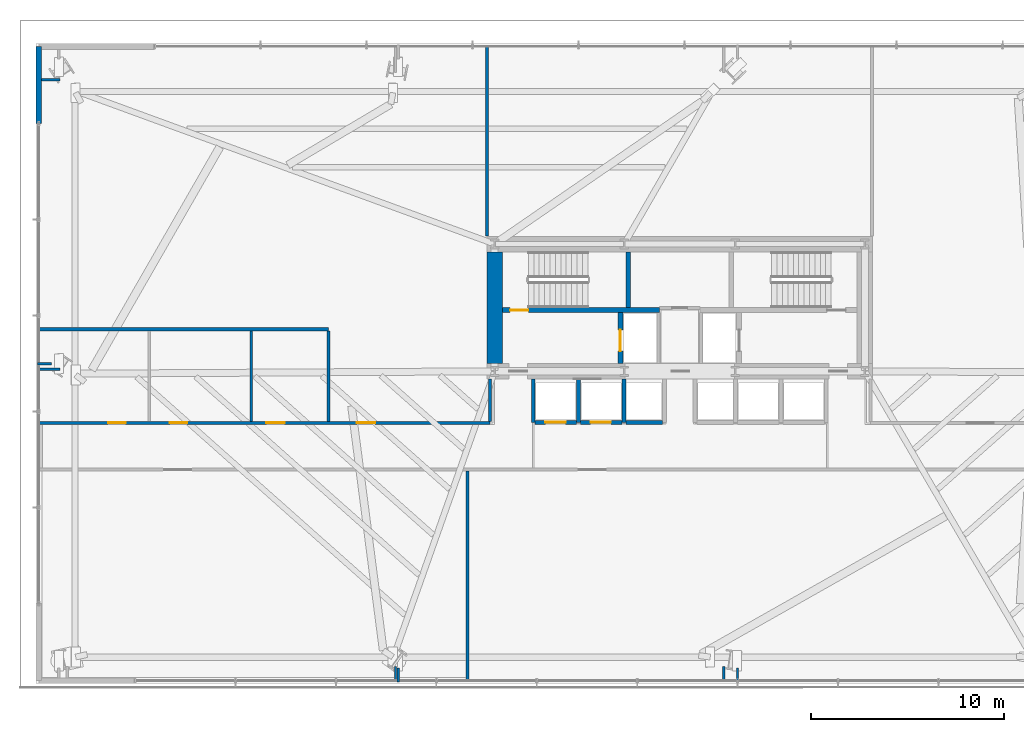
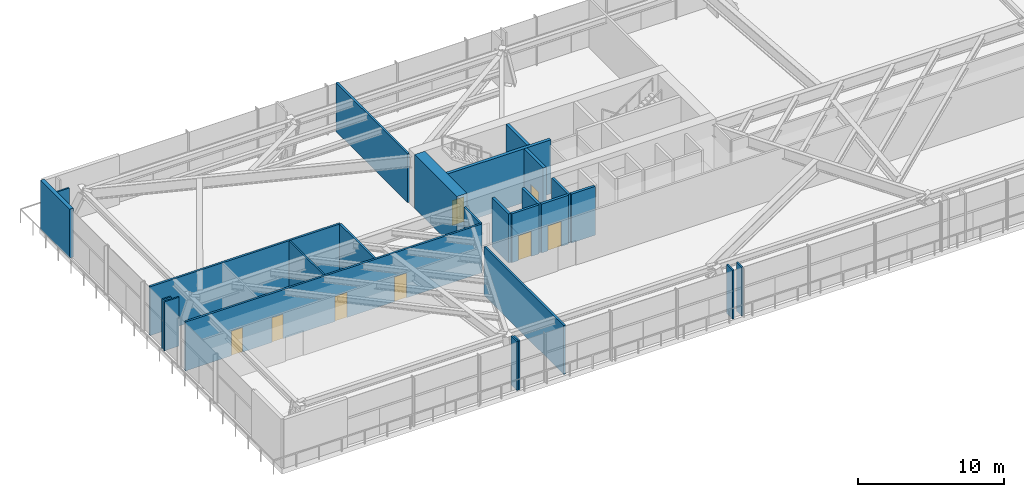
# One storey, part 24 of 33: 25 walls, 8 doors, 8 openings.
"""IFC4 building model written with IfcOpenShell, lengths in metres."""

from ifc_helpers import new_model, si_unit, direction, frame, frame_2d, origin, place, context, subcontext, project, spatial, rectangle, extrude, source, transform, mapped, material, layer, layer_set, type_object, type_shapes, element, fill, save


model = new_model("IFC4")

# Units and contexts
model_context = context("Model", 3, precision=1e-05, world=origin(), true_north=direction((0.0, 1.0)))
body_context = subcontext(model_context, "Body", "Model", "MODEL_VIEW")
ifc_project = project(units=[si_unit("LENGTHUNIT", "METRE"), si_unit("AREAUNIT", "SQUARE_METRE"), si_unit("VOLUMEUNIT", "CUBIC_METRE"), si_unit("PLANEANGLEUNIT", "RADIAN"), si_unit("MASSUNIT", "GRAM", prefix="KILO")], contexts=[model_context])

# Site, building, storey
site_placement = place(None, origin())
site = spatial("IfcSite", under=ifc_project, at=site_placement, CompositionType="ELEMENT")
building_placement = place(site_placement, origin())
building = spatial("IfcBuilding", under=site, at=building_placement, Name="Astriad Promenade Condominiums", CompositionType="ELEMENT")
storey_placement = place(building_placement, frame((0.0, 0.0, 9.5)))
storey = spatial("IfcBuildingStorey", under=building, at=storey_placement, Name="L02", CompositionType="ELEMENT", Elevation=9.5)

# Wall
ifc_material_1 = material(Name="Concrete C80/95", Category="concrete")
ifc_layer_1 = layer(ifc_material_1, 0.800048828125)
ifc_layer_set_1 = layer_set([ifc_layer_1], Name="Concrete C80/95")
wall_type_1 = type_object("IfcWallType", Name="CW-SHEAR-800", PredefinedType="SHEAR", material=ifc_layer_set_1)
wall_1_placement = place(storey_placement, frame((26.39990234375, 17.802001953125, 0.0), z_axis=(0.0, 0.0, 1.0), x_axis=(0.0, 1.0, 0.0)))
element("IfcWall", 1, at=wall_1_placement, inside=storey, type_object=wall_type_1, Name="CW-CORE-W-L02", PredefinedType="SHEAR", context=body_context, shape_type="SweptSolid", body=[
    extrude(rectangle(XDim=5.7958984375, YDim=0.800048828125, at=frame_2d((2.89794921875, 0.0))), origin(), (0.0, 0.0, 1.0), 4.5),
])

# Wall, opening, door
ifc_material_2 = material(Name="Concrete C50/60", Category="concrete")
ifc_layer_2 = layer(ifc_material_2, 0.25)
ifc_layer_set_2 = layer_set([ifc_layer_2], Name="Concrete C50/60")
wall_type_2 = type_object("IfcWallType", Name="WALL-CORE-INT-250", PredefinedType="SOLIDWALL", material=ifc_layer_set_2)
wall_2_placement = place(storey_placement, frame((26.802001953125, 20.574951171875, 0.0), z_axis=(0.0, 0.0, 1.0), x_axis=(1.0, 0.0, 0.0)))
wall_2 = element("IfcWall", 2, at=wall_2_placement, inside=storey, type_object=wall_type_2, Name="CW-INT-H1-L02", PredefinedType="SOLIDWALL", context=body_context, shape_type="SweptSolid", body=[
    extrude(rectangle(XDim=8.14794921875, YDim=0.25, at=frame_2d((4.073974609375, 0.0))), origin(), (0.0, 0.0, 1.0), 4.5),
])
opening_1_placement = place(wall_2_placement, frame((0.39794921875, 0.0, 0.0)))
opening_1 = element("IfcOpeningElement", 3, at=opening_1_placement, cuts=wall_2, Name="Opening FD90-ST-095", PredefinedType="OPENING", context=body_context, shape_type="SweptSolid", body=[
    extrude(rectangle(XDim=0.949951171875, YDim=2.06005859375, at=frame_2d((0.47509765625, 1.030029296875))), frame((0.0, 0.135009765625, 0.0), z_axis=(0.0, -1.0, 0.0), x_axis=(1.0, 0.0, 0.0)), (0.0, 0.0, 1.0), 0.27001953125),
])
ifc_material_3 = material(Name="Fire-Rated Hollow Metal Stair Door")
door_type_1 = type_object("IfcDoorType", Name="FD90-ST-095", OperationType="NOTDEFINED", PredefinedType="DOOR", material=ifc_material_3)
shared_shape_1 = source(origin(), body_context, "Body", "SweptSolid", [
    extrude(rectangle(XDim=0.949951171875, YDim=2.06005859375, at=frame_2d((0.47509765625, 1.030029296875))), frame((0.0, 0.02490234375, 0.0), z_axis=(0.0, -1.0, 0.0), x_axis=(1.0, 0.0, 0.0)), (0.0, 0.0, 1.0), 0.050048828125),
])
type_shapes(door_type_1, [shared_shape_1])
door_1_placement = place(opening_1_placement, origin())
door_1 = element("IfcDoor", 4, at=door_1_placement, inside=storey, type_object=door_type_1, Name="D-ST1-L02", OperationType="SINGLE_SWING_LEFT", OverallHeight=2.06005859375, OverallWidth=0.949951171875, PredefinedType="DOOR", context=body_context, shape_type="MappedRepresentation", body=[
    mapped(shared_shape_1, transform((0.0, 0.0, 0.0), scale=1.0)),
])
fill(opening_1, door_1)

# Wall
wall_3_placement = place(storey_placement, frame((33.324951171875, 20.701904296875, 0.0), z_axis=(0.0, 0.0, 1.0), x_axis=(0.0, 1.0, 0.0)))
element("IfcWall", 5, at=wall_3_placement, inside=storey, type_object=wall_type_2, Name="CW-ST1-E-L02", PredefinedType="SOLIDWALL", context=body_context, shape_type="SweptSolid", body=[
    extrude(rectangle(XDim=2.89599609375, YDim=0.25, at=frame_2d((1.447998046875, 0.0))), origin(), (0.0, 0.0, 1.0), 4.5),
])

# Wall, opening, door
wall_4_placement = place(storey_placement, frame((32.925048828125, 17.802001953125, 0.0), z_axis=(0.0, 0.0, 1.0), x_axis=(0.0, 1.0, 0.0)))
wall_4 = element("IfcWall", 6, at=wall_4_placement, inside=storey, type_object=wall_type_2, Name="CW-FFL1-W-L02", PredefinedType="SOLIDWALL", context=body_context, shape_type="SweptSolid", body=[
    extrude(rectangle(XDim=2.64599609375, YDim=0.25, at=frame_2d((1.322998046875, 0.0))), origin(), (0.0, 0.0, 1.0), 4.5),
])
opening_2_placement = place(wall_4_placement, frame((0.64794921875, 0.0, 0.0)))
opening_2 = element("IfcOpeningElement", 7, at=opening_2_placement, cuts=wall_4, Name="Opening LD-FFL-1122", PredefinedType="OPENING", context=body_context, shape_type="SweptSolid", body=[
    extrude(rectangle(XDim=1.10009765625, YDim=2.080078125, at=frame_2d((0.550048828125, 1.0400390625))), frame((0.0, 0.135009765625, 0.0), z_axis=(0.0, -1.0, 0.0), x_axis=(1.0, 0.0, 0.0)), (0.0, 0.0, 1.0), 0.27001953125),
])
ifc_material_4 = material(Name="Brushed Stainless Steel Fire Elevator Landing Door", Category="steel")
door_type_2 = type_object("IfcDoorType", Name="LD-FFL-1122", OperationType="NOTDEFINED", PredefinedType="DOOR", material=ifc_material_4)
shared_shape_2 = source(origin(), body_context, "Body", "SweptSolid", [
    extrude(rectangle(XDim=1.10009765625, YDim=2.080078125, at=frame_2d((0.550048828125, 1.0400390625))), frame((0.0, 0.02490234375, 0.0), z_axis=(0.0, -1.0, 0.0), x_axis=(1.0, 0.0, 0.0)), (0.0, 0.0, 1.0), 0.050048828125),
])
type_shapes(door_type_2, [shared_shape_2])
door_2_placement = place(opening_2_placement, origin())
door_2 = element("IfcDoor", 8, at=door_2_placement, inside=storey, type_object=door_type_2, Name="Elevator Landing Door FFL-1 (L02)", OperationType="SLIDING_TO_LEFT", OverallHeight=2.080078125, OverallWidth=1.10009765625, PredefinedType="DOOR", context=body_context, shape_type="MappedRepresentation", body=[
    mapped(shared_shape_2, transform((0.0, 0.0, 0.0), scale=1.0)),
])
fill(opening_2, door_2)

# Wall, openings, doors
ifc_material_5 = material(Name="Fire-Rated Gypsum Partition")
ifc_layer_3 = layer(ifc_material_5, 0.159912109375)
ifc_layer_set_3 = layer_set([ifc_layer_3], Name="Fire-Rated Gypsum Partition")
wall_type_3 = type_object("IfcWallType", Name="WALL-CORR-160", PredefinedType="PARTITIONING", material=ifc_layer_set_3)
wall_5_placement = place(storey_placement, frame((2.75, 14.719970703125, 0.0), z_axis=(0.0, 0.0, 1.0), x_axis=(1.0, 0.0, 0.0)))
wall_5 = element("IfcWall", 9, at=wall_5_placement, inside=storey, type_object=wall_type_3, Name="PT-L02-CNW", PredefinedType="PARTITIONING", context=body_context, shape_type="SweptSolid", body=[
    extrude(rectangle(XDim=23.39990234375, YDim=0.159912109375, at=frame_2d((11.699951171875, 0.0))), origin(), (0.0, 0.0, 1.0), 4.080078125),
])
opening_3_placement = place(wall_5_placement, frame((16.5, 0.0, 0.0)))
opening_3 = element("IfcOpeningElement", 10, at=opening_3_placement, cuts=wall_5, Name="Opening FD60-APT-095", PredefinedType="OPENING", context=body_context, shape_type="SweptSolid", body=[
    extrude(rectangle(XDim=0.949951171875, YDim=2.06005859375, at=frame_2d((0.47509765625, 1.030029296875))), frame((0.0, 0.08984375, 0.0), z_axis=(0.0, -1.0, 0.0), x_axis=(1.0, 0.0, 0.0)), (0.0, 0.0, 1.0), 0.179931640625),
])
opening_4_placement = place(wall_5_placement, frame((3.60009765625, 0.0, 0.0)))
opening_4 = element("IfcOpeningElement", 11, at=opening_4_placement, cuts=wall_5, Name="Opening D-INT-090", PredefinedType="OPENING", context=body_context, shape_type="SweptSolid", body=[
    extrude(rectangle(XDim=0.89990234375, YDim=2.050048828125, at=frame_2d((0.449951171875, 1.02490234375))), frame((0.0, 0.08984375, 0.0), z_axis=(0.0, -1.0, 0.0), x_axis=(1.0, 0.0, 0.0)), (0.0, 0.0, 1.0), 0.179931640625),
])
opening_5_placement = place(wall_5_placement, frame((6.800048828125, 0.0, 0.0)))
opening_5 = element("IfcOpeningElement", 12, at=opening_5_placement, cuts=wall_5, Name="Opening D-INT-090", PredefinedType="OPENING", context=body_context, shape_type="SweptSolid", body=[
    extrude(rectangle(XDim=0.89990234375, YDim=2.050048828125, at=frame_2d((0.449951171875, 1.02490234375))), frame((0.0, 0.08984375, 0.0), z_axis=(0.0, -1.0, 0.0), x_axis=(1.0, 0.0, 0.0)), (0.0, 0.0, 1.0), 0.179931640625),
])
opening_6_placement = place(wall_5_placement, frame((11.800048828125, 0.0, 0.0)))
opening_6 = element("IfcOpeningElement", 13, at=opening_6_placement, cuts=wall_5, Name="Opening D-WET-095", PredefinedType="OPENING", context=body_context, shape_type="SweptSolid", body=[
    extrude(rectangle(XDim=0.949951171875, YDim=2.10009765625, at=frame_2d((0.47509765625, 1.050048828125))), frame((0.0, 0.08984375, 0.0), z_axis=(0.0, -1.0, 0.0), x_axis=(1.0, 0.0, 0.0)), (0.0, 0.0, 1.0), 0.179931640625),
])
ifc_material_6 = material(Name="Accessible Restroom Timber Door", Category="wood")
door_type_3 = type_object("IfcDoorType", Name="D-WET-095", OperationType="NOTDEFINED", PredefinedType="DOOR", material=ifc_material_6)
shared_shape_3 = source(origin(), body_context, "Body", "SweptSolid", [
    extrude(rectangle(XDim=0.949951171875, YDim=2.10009765625, at=frame_2d((0.47509765625, 1.050048828125))), frame((0.0, 0.02490234375, 0.0), z_axis=(0.0, -1.0, 0.0), x_axis=(1.0, 0.0, 0.0)), (0.0, 0.0, 1.0), 0.050048828125),
])
type_shapes(door_type_3, [shared_shape_3])
door_3_placement = place(opening_6_placement, origin())
door_3 = element("IfcDoor", 14, at=door_3_placement, inside=storey, type_object=door_type_3, Name="D-L02-WCA", OperationType="SINGLE_SWING_LEFT", OverallHeight=2.10009765625, OverallWidth=0.949951171875, PredefinedType="DOOR", context=body_context, shape_type="MappedRepresentation", body=[
    mapped(shared_shape_3, transform((0.0, 0.0, 0.0), scale=1.0)),
])
fill(opening_6, door_3)
ifc_material_7 = material(Name="Solid-Core Acoustic Timber Residence Entry Door", Category="wood")
door_type_4 = type_object("IfcDoorType", Name="FD60-APT-095", OperationType="NOTDEFINED", PredefinedType="DOOR", material=ifc_material_7)
shared_shape_4 = source(origin(), body_context, "Body", "SweptSolid", [
    extrude(rectangle(XDim=0.949951171875, YDim=2.06005859375, at=frame_2d((0.47509765625, 1.030029296875))), frame((0.0, 0.02490234375, 0.0), z_axis=(0.0, -1.0, 0.0), x_axis=(1.0, 0.0, 0.0)), (0.0, 0.0, 1.0), 0.050048828125),
])
type_shapes(door_type_4, [shared_shape_4])
door_4_placement = place(opening_3_placement, origin())
door_4 = element("IfcDoor", 15, at=door_4_placement, inside=storey, type_object=door_type_4, Name="D-L02-R4", OperationType="SINGLE_SWING_RIGHT", OverallHeight=2.06005859375, OverallWidth=0.949951171875, PredefinedType="DOOR", context=body_context, shape_type="MappedRepresentation", body=[
    mapped(shared_shape_4, transform((0.0, 0.0, 0.0), scale=1.0)),
])
fill(opening_3, door_4)
ifc_material_8 = material(Name="Painted Solid-Core Timber Bedroom Door", Category="wood")
door_type_5 = type_object("IfcDoorType", Name="D-INT-090", OperationType="NOTDEFINED", PredefinedType="DOOR", material=ifc_material_8)
shared_shape_5 = source(origin(), body_context, "Body", "SweptSolid", [
    extrude(rectangle(XDim=0.89990234375, YDim=2.050048828125, at=frame_2d((0.449951171875, 1.02490234375))), frame((0.0, 0.02490234375, 0.0), z_axis=(0.0, -1.0, 0.0), x_axis=(1.0, 0.0, 0.0)), (0.0, 0.0, 1.0), 0.050048828125),
])
type_shapes(door_type_5, [shared_shape_5])
door_5_placement = place(opening_4_placement, origin())
door_5 = element("IfcDoor", 16, at=door_5_placement, inside=storey, type_object=door_type_5, Name="D-L02-WCM", OperationType="SINGLE_SWING_LEFT", OverallHeight=2.050048828125, OverallWidth=0.89990234375, PredefinedType="DOOR", context=body_context, shape_type="MappedRepresentation", body=[
    mapped(shared_shape_5, transform((0.0, 0.0, 0.0), scale=1.0)),
])
fill(opening_4, door_5)
door_6_placement = place(opening_5_placement, origin())
door_6 = element("IfcDoor", 17, at=door_6_placement, inside=storey, type_object=door_type_5, Name="D-L02-WCF", OperationType="SINGLE_SWING_RIGHT", OverallHeight=2.050048828125, OverallWidth=0.89990234375, PredefinedType="DOOR", context=body_context, shape_type="MappedRepresentation", body=[
    mapped(shared_shape_5, transform((0.0, 0.0, 0.0), scale=1.0)),
])
fill(opening_5, door_6)

# Walls
wall_6_placement = place(storey_placement, frame((25.0, 1.35009765625, 0.0), z_axis=(0.0, 0.0, 1.0), x_axis=(0.0, 1.0, 0.0)))
element("IfcWall", 18, at=wall_6_placement, inside=storey, type_object=wall_type_3, Name="PT-L02-SV", PredefinedType="PARTITIONING", context=body_context, shape_type="SweptSolid", body=[
    extrude(rectangle(XDim=10.867919921875, YDim=0.159912109375, at=frame_2d((5.43408203125, 0.0))), origin(), (0.0, 0.0, 1.0), 4.080078125),
])
wall_7_placement = place(storey_placement, frame((2.75, 19.580078125, 0.0), z_axis=(0.0, 0.0, 1.0), x_axis=(1.0, 0.0, 0.0)))
element("IfcWall", 19, at=wall_7_placement, inside=storey, type_object=wall_type_3, Name="PT-L02-WCN", PredefinedType="PARTITIONING", context=body_context, shape_type="SweptSolid", body=[
    extrude(rectangle(XDim=15.030029296875, YDim=0.159912109375, at=frame_2d((7.51513671875, 0.0))), origin(), (0.0, 0.0, 1.0), 4.080078125),
])
wall_8_placement = place(storey_placement, frame((17.780029296875, 14.802001953125, 0.0), z_axis=(0.0, 0.0, 1.0), x_axis=(0.0, 1.0, 0.0)))
element("IfcWall", 20, at=wall_8_placement, inside=storey, type_object=wall_type_3, Name="PT-L02-WC3", PredefinedType="PARTITIONING", context=body_context, shape_type="SweptSolid", body=[
    extrude(rectangle(XDim=4.696044921875, YDim=0.159912109375, at=frame_2d((2.34814453125, 0.0))), origin(), (0.0, 0.0, 1.0), 4.080078125),
])
wall_9_placement = place(storey_placement, frame((26.0, 24.419921875, 0.0), z_axis=(0.0, 0.0, 1.0), x_axis=(0.0, 1.0, 0.0)))
element("IfcWall", 21, at=wall_9_placement, inside=storey, type_object=wall_type_3, Name="PT-L02-WSW", PredefinedType="PARTITIONING", context=body_context, shape_type="SweptSolid", body=[
    extrude(rectangle(XDim=9.830078125, YDim=0.159912109375, at=frame_2d((4.9150390625, 0.0))), origin(), (0.0, 0.0, 1.0), 4.080078125),
])
wall_10_placement = place(storey_placement, frame((26.14990234375, 14.802001953125, 0.0), z_axis=(0.0, 0.0, 1.0), x_axis=(0.0, 1.0, 0.0)))
element("IfcWall", 22, at=wall_10_placement, inside=storey, type_object=wall_type_3, Name="PT-L02-CWSP", PredefinedType="PARTITIONING", context=body_context, shape_type="SweptSolid", body=[
    extrude(rectangle(XDim=2.196044921875, YDim=0.159912109375, at=frame_2d((1.09814453125, 0.0))), origin(), (0.0, 0.0, 1.0), 4.080078125),
])
ifc_material_9 = material(Name="Precast concrete C50/60", Category="concrete")
ifc_layer_4 = layer(ifc_material_9, 0.300048828125)
ifc_layer_set_4 = layer_set([ifc_layer_4], Name="Precast concrete C50/60")
wall_type_4 = type_object("IfcWallType", Name="WALL-EXT-POD-300", PredefinedType="STANDARD", material=ifc_layer_set_4)
wall_11_placement = place(storey_placement, frame((2.75, 30.25, 0.0), z_axis=(0.0, 0.0, 1.0), x_axis=(0.0, 1.0, 0.0)))
element("IfcWall", 23, at=wall_11_placement, inside=storey, type_object=wall_type_4, Name="W-EXT-L02-W2", PredefinedType="STANDARD", context=body_context, shape_type="SweptSolid", body=[
    extrude(rectangle(XDim=4.0, YDim=0.300048828125, at=frame_2d((2.0, 0.0))), origin(), (0.0, 0.0, 1.0), 4.080078125),
])
ifc_material_10 = material(Name="Acoustic Metal-Stud Gypsum Partition")
ifc_layer_5 = layer(ifc_material_10, 0.1201171875)
ifc_layer_set_5 = layer_set([ifc_layer_5], Name="Acoustic Metal-Stud Gypsum Partition")
wall_type_5 = type_object("IfcWallType", Name="WALL-PART-120", PredefinedType="PARTITIONING", material=ifc_layer_set_5)
wall_12_placement = place(storey_placement, frame((13.780029296875, 14.802001953125, 0.0), z_axis=(0.0, 0.0, 1.0), x_axis=(0.0, 1.0, 0.0)))
element("IfcWall", 24, at=wall_12_placement, inside=storey, type_object=wall_type_5, Name="PT-L02-WC2", PredefinedType="PARTITIONING", context=body_context, shape_type="SweptSolid", body=[
    extrude(rectangle(XDim=4.696044921875, YDim=0.1201171875, at=frame_2d((2.34814453125, 0.0))), origin(), (0.0, 0.0, 1.0), 4.080078125),
])
for number, where, z_axis, x_axis, name in (
    (25, (21.25244140625, 2.10009765625, 0.0), (0.0, 0.0, 1.0), (0.0, -1.0, 0.0), "PT-PIL-L02-PC02-9"),
    (26, (38.27490234375, 2.10009765625, 0.0), (0.0, 0.0, 1.0), (0.0, -1.0, 0.0), "PT-PIL-L02-PC03-10"),
):
    element("IfcWall", number, at=place(storey_placement, frame(where, z_axis=z_axis, x_axis=x_axis)), inside=storey, type_object=wall_type_5, Name=name, PredefinedType="PARTITIONING", context=body_context, shape_type="SweptSolid", body=[
        extrude(rectangle(XDim=0.820068359375, YDim=0.1201171875, at=frame_2d((0.41015625, 0.0))), origin(), (0.0, 0.0, 1.0), 4.080078125),
    ])
wall_13_placement = place(storey_placement, frame((3.85009765625, 32.52001953125, 0.0), z_axis=(0.0, 0.0, 1.0), x_axis=(-1.0, 0.0, 0.0)))
element("IfcWall", 27, at=wall_13_placement, inside=storey, type_object=wall_type_5, Name="PT-PIL-L02-PC06-13", PredefinedType="PARTITIONING", context=body_context, shape_type="SweptSolid", body=[
    extrude(rectangle(XDim=0.947998046875, YDim=0.1201171875, at=frame_2d((0.47412109375, 0.0))), origin(), (0.0, 0.0, 1.0), 4.080078125),
])
wall_14_placement = place(storey_placement, frame((3.85009765625, 17.5, 0.0), z_axis=(0.0, 0.0, 1.0), x_axis=(-1.0, 0.0, 0.0)))
element("IfcWall", 28, at=wall_14_placement, inside=storey, type_object=wall_type_5, Name="PT-PIL-L02-PC11-18", PredefinedType="PARTITIONING", context=body_context, shape_type="SweptSolid", body=[
    extrude(rectangle(XDim=1.170166015625, YDim=0.1201171875, at=frame_2d((0.5849609375, 0.0))), origin(), (0.0, 0.0, 1.0), 4.080078125),
])
for number, where, z_axis, x_axis, name in (
    (29, (21.389892578125, 2.0, 0.0), (0.0, 0.0, 1.0), (0.0, -1.0, 0.0), "PT-PIL-L02-PC02-21"),
    (30, (39.0, 2.0, 0.0), (0.0, 0.0, 1.0), (0.0, -1.0, 0.0), "PT-PIL-L02-PC03-22"),
    (31, (3.39990234375, 17.800048828125, 0.0), (0.0, 0.0, 1.0), (-1.0, 0.0, 0.0), "PT-PIL-L02-PC11-30"),
):
    element("IfcWall", number, at=place(storey_placement, frame(where, z_axis=z_axis, x_axis=x_axis)), inside=storey, type_object=wall_type_5, Name=name, PredefinedType="PARTITIONING", context=body_context, shape_type="SweptSolid", body=[
        extrude(rectangle(XDim=0.719970703125, YDim=0.1201171875, at=frame_2d((0.35986328125, 0.0))), origin(), (0.0, 0.0, 1.0), 4.080078125),
    ])
ifc_material_11 = material(Name="Gypsum Shaftliner Assembly")
ifc_layer_6 = layer(ifc_material_11, 0.199951171875)
ifc_layer_set_6 = layer_set([ifc_layer_6], Name="Gypsum Shaftliner Assembly")
wall_type_6 = type_object("IfcWallType", Name="WALL-SHAFT-200", PredefinedType="PARTITIONING", material=ifc_layer_set_6)
for number, where, z_axis, x_axis, name in (
    (32, (28.39990234375, 14.75, 0.0), (0.0, 0.0, 1.0), (0.0, 1.0, 0.0), "PL-W-OUT-L02"),
    (33, (30.75, 14.75, 0.0), (0.0, 0.0, 1.0), (0.0, 1.0, 0.0), "PL-L-DIV-L02"),
    (34, (33.10009765625, 14.75, 0.0), (0.0, 0.0, 1.0), (0.0, 1.0, 0.0), "PL-LM-DIV-L02"),
):
    element("IfcWall", number, at=place(storey_placement, frame(where, z_axis=z_axis, x_axis=x_axis)), inside=storey, type_object=wall_type_6, Name=name, PredefinedType="PARTITIONING", context=body_context, shape_type="SweptSolid", body=[
        extrude(rectangle(XDim=2.248046875, YDim=0.199951171875, at=frame_2d((1.1240234375, 0.0))), origin(), (0.0, 0.0, 1.0), 4.080078125),
    ])

# Wall, opening, door
wall_15_placement = place(storey_placement, frame((28.501953125, 14.75, 0.0), z_axis=(0.0, 0.0, 1.0), x_axis=(1.0, 0.0, 0.0)))
wall_15 = element("IfcWall", 35, at=wall_15_placement, inside=storey, type_object=wall_type_6, Name="PL-L-FRT-L02", PredefinedType="PARTITIONING", context=body_context, shape_type="SweptSolid", body=[
    extrude(rectangle(XDim=2.14599609375, YDim=0.199951171875, at=frame_2d((1.072998046875, 0.0))), origin(), (0.0, 0.0, 1.0), 4.080078125),
])
opening_7_placement = place(wall_15_placement, frame((0.52294921875, 0.0, 0.0)))
opening_7 = element("IfcOpeningElement", 36, at=opening_7_placement, cuts=wall_15, Name="Opening LD-PL-10522", PredefinedType="OPENING", context=body_context, shape_type="SweptSolid", body=[
    extrude(rectangle(XDim=1.050048828125, YDim=2.080078125, at=frame_2d((0.52490234375, 1.0400390625))), frame((0.0, 0.10986328125, 0.0), z_axis=(0.0, -1.0, 0.0), x_axis=(1.0, 0.0, 0.0)), (0.0, 0.0, 1.0), 0.219970703125),
])
ifc_material_12 = material(Name="Brushed Bronze Passenger Elevator Landing Door")
door_type_6 = type_object("IfcDoorType", Name="LD-PL-10522", OperationType="NOTDEFINED", PredefinedType="DOOR", material=ifc_material_12)
shared_shape_6 = source(origin(), body_context, "Body", "SweptSolid", [
    extrude(rectangle(XDim=1.050048828125, YDim=2.080078125, at=frame_2d((0.52490234375, 1.0400390625))), frame((0.0, 0.02490234375, 0.0), z_axis=(0.0, -1.0, 0.0), x_axis=(1.0, 0.0, 0.0)), (0.0, 0.0, 1.0), 0.050048828125),
])
type_shapes(door_type_6, [shared_shape_6])
door_7_placement = place(opening_7_placement, origin())
door_7 = element("IfcDoor", 37, at=door_7_placement, inside=storey, type_object=door_type_6, Name="Elevator Landing Door PL-L1 (L02)", OperationType="SLIDING_TO_LEFT", OverallHeight=2.080078125, OverallWidth=1.050048828125, PredefinedType="DOOR", context=body_context, shape_type="MappedRepresentation", body=[
    mapped(shared_shape_6, transform((0.0, 0.0, 0.0), scale=1.0)),
])
fill(opening_7, door_7)

wall_16_placement = place(storey_placement, frame((30.85205078125, 14.75, 0.0), z_axis=(0.0, 0.0, 1.0), x_axis=(1.0, 0.0, 0.0)))
wall_16 = element("IfcWall", 38, at=wall_16_placement, inside=storey, type_object=wall_type_6, Name="PL-L-FRT-L02-S2", PredefinedType="PARTITIONING", context=body_context, shape_type="SweptSolid", body=[
    extrude(rectangle(XDim=2.14599609375, YDim=0.199951171875, at=frame_2d((1.072998046875, 0.0))), origin(), (0.0, 0.0, 1.0), 4.080078125),
])
opening_8_placement = place(wall_16_placement, frame((0.52294921875, 0.0, 0.0)))
opening_8 = element("IfcOpeningElement", 39, at=opening_8_placement, cuts=wall_16, Name="Opening LD-PL-10522", PredefinedType="OPENING", context=body_context, shape_type="SweptSolid", body=[
    extrude(rectangle(XDim=1.050048828125, YDim=2.080078125, at=frame_2d((0.52490234375, 1.0400390625))), frame((0.0, 0.10986328125, 0.0), z_axis=(0.0, -1.0, 0.0), x_axis=(1.0, 0.0, 0.0)), (0.0, 0.0, 1.0), 0.219970703125),
])
door_8_placement = place(opening_8_placement, origin())
door_8 = element("IfcDoor", 40, at=door_8_placement, inside=storey, type_object=door_type_6, Name="Elevator Landing Door PL-L2 (L02)", OperationType="SLIDING_TO_RIGHT", OverallHeight=2.080078125, OverallWidth=1.050048828125, PredefinedType="DOOR", context=body_context, shape_type="MappedRepresentation", body=[
    mapped(shared_shape_6, transform((0.0, 0.0, 0.0), scale=1.0)),
])
fill(opening_8, door_8)

# Wall
wall_17_placement = place(storey_placement, frame((33.201904296875, 14.75, 0.0), z_axis=(0.0, 0.0, 1.0), x_axis=(1.0, 0.0, 0.0)))
element("IfcWall", 41, at=wall_17_placement, inside=storey, type_object=wall_type_6, Name="PL-M1-F-L02", PredefinedType="PARTITIONING", context=body_context, shape_type="SweptSolid", body=[
    extrude(rectangle(XDim=1.89599609375, YDim=0.199951171875, at=frame_2d((0.947998046875, 0.0))), origin(), (0.0, 0.0, 1.0), 4.080078125),
])

save(model, "model.ifc")
